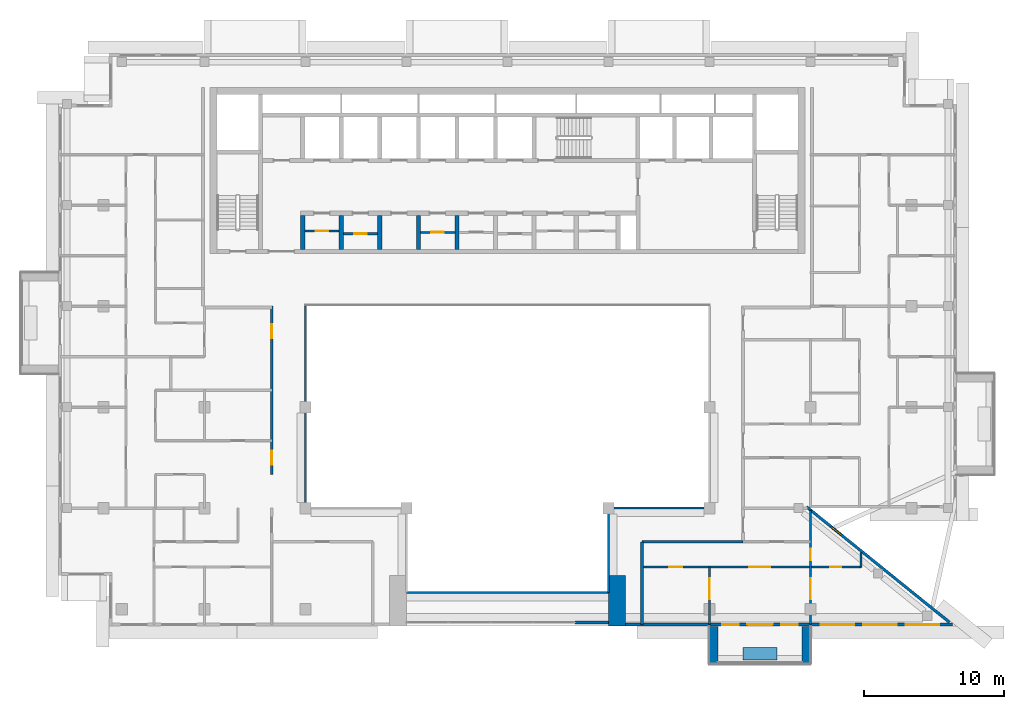
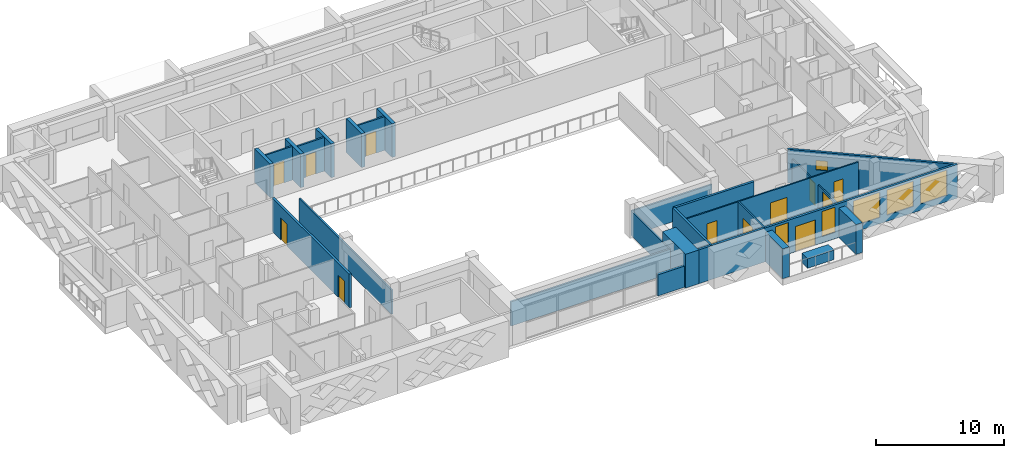
# One storey, part 8 of 19: 26 walls, 12 doors, 6 windows, 18 openings.
"""IFC4 building model written with IfcOpenShell, lengths in metres."""

from ifc_helpers import new_model, si_unit, direction, frame, frame_2d, origin, place, context, subcontext, project, spatial, rectangle, extrude, material, layer, layer_set, type_object, element, fill, save


model = new_model("IFC4")

# Units and contexts
model_context = context("Model", 3, precision=1e-05, world=origin(), true_north=direction((0.0, 1.0)))
body_context = subcontext(model_context, "Body", "Model", "MODEL_VIEW")
ifc_project = project(units=[si_unit("LENGTHUNIT", "METRE"), si_unit("AREAUNIT", "SQUARE_METRE"), si_unit("VOLUMEUNIT", "CUBIC_METRE"), si_unit("PLANEANGLEUNIT", "RADIAN"), si_unit("MASSUNIT", "GRAM", prefix="KILO")], contexts=[model_context])

# Site, building, storey
site_placement = place(None, origin())
site = spatial("IfcSite", under=ifc_project, at=site_placement, CompositionType="ELEMENT")
building_placement = place(site_placement, origin())
building = spatial("IfcBuilding", under=site, at=building_placement, Name="Saffron Iwan Residences", CompositionType="ELEMENT")
storey_placement = place(building_placement, frame((0.0, 0.0, 232.5)))
storey = spatial("IfcBuildingStorey", under=building, at=storey_placement, Name="L62", CompositionType="ELEMENT", Elevation=232.5)

# Walls
ifc_material_1 = material(Name="Fire-rated glazing", Category="glass")
ifc_layer_1 = layer(ifc_material_1, 0.14990234375)
ifc_layer_set_1 = layer_set([ifc_layer_1], Name="Fire-rated glazing")
wall_type_1 = type_object("IfcWallType", Name="Atrium glazed screen 150", PredefinedType="SOLIDWALL", material=ifc_layer_set_1)
wall_1_placement = place(storey_placement, frame((43.199951171875, 42.0, 0.0), z_axis=(0.0, 0.0, 1.0), x_axis=(1.0, 0.0, 0.0)))
element("IfcWall", 1, at=wall_1_placement, inside=storey, type_object=wall_type_1, Name="W-L62-SCREEN-h42-43.2", PredefinedType="SOLIDWALL", context=body_context, shape_type="SweptSolid", body=[
    extrude(rectangle(XDim=14.400146484375, YDim=0.14990234375, at=frame_2d((7.2001953125, 0.0))), origin(), (0.0, 0.0, 1.0), 2.320068359375),
])
wall_2_placement = place(storey_placement, frame((57.60009765625, 48.0, 0.0), z_axis=(0.0, 0.0, 1.0), x_axis=(1.0, 0.0, 0.0)))
element("IfcWall", 2, at=wall_2_placement, inside=storey, type_object=wall_type_1, Name="W-L62-SCREEN-h48-57.6", PredefinedType="SOLIDWALL", context=body_context, shape_type="SweptSolid", body=[
    extrude(rectangle(XDim=7.199951171875, YDim=0.14990234375, at=frame_2d((3.60009765625, 0.0))), origin(), (0.0, 0.0, 1.0), 2.320068359375),
])
wall_3_placement = place(storey_placement, frame((36.0, 48.0, 0.0), z_axis=(0.0, 0.0, 1.0), x_axis=(0.0, 1.0, 0.0)))
element("IfcWall", 3, at=wall_3_placement, inside=storey, type_object=wall_type_1, Name="W-L62-SCREEN-v36-48", PredefinedType="SOLIDWALL", context=body_context, shape_type="SweptSolid", body=[
    extrude(rectangle(XDim=14.39990234375, YDim=0.14990234375, at=frame_2d((7.199951171875, 0.0))), origin(), (0.0, 0.0, 1.0), 2.320068359375),
])
wall_4_placement = place(storey_placement, frame((57.60009765625, 42.0, 0.0), z_axis=(0.0, 0.0, 1.0), x_axis=(0.0, 1.0, 0.0)))
element("IfcWall", 4, at=wall_4_placement, inside=storey, type_object=wall_type_1, Name="W-L62-SCREEN-v57.6-42", PredefinedType="SOLIDWALL", context=body_context, shape_type="SweptSolid", body=[
    extrude(rectangle(XDim=6.0, YDim=0.14990234375, at=frame_2d((3.0, 0.0))), origin(), (0.0, 0.0, 1.0), 2.320068359375),
])
ifc_material_2 = material(Name="Concrete C50/60 white painted", Category="concrete")
ifc_layer_2 = layer(ifc_material_2, 0.60009765625)
ifc_layer_set_2 = layer_set([ifc_layer_2], Name="Concrete C50/60 white painted")
wall_type_2 = type_object("IfcWallType", Name="BALCONY FIN 600", PredefinedType="SOLIDWALL", material=ifc_layer_set_2)
for number, where, z_axis, x_axis, name in (
    (5, (65.10009765625, 39.550048828125, 0.0), (0.0, 0.0, 1.0), (0.0, -1.0, 0.0), "Balcony fin L62 11-0a"),
    (6, (71.699951171875, 39.550048828125, 0.0), (0.0, 0.0, 1.0), (0.0, -1.0, 0.0), "Balcony fin L62 11-0b"),
):
    element("IfcWall", number, at=place(storey_placement, frame(where, z_axis=z_axis, x_axis=x_axis)), inside=storey, type_object=wall_type_2, Name=name, PredefinedType="SOLIDWALL", context=body_context, shape_type="SweptSolid", body=[
        extrude(rectangle(XDim=2.650146484375, YDim=0.60009765625, at=frame_2d((1.3251953125, 0.0))), origin(), (0.0, 0.0, 1.0), 2.85009765625),
    ])
ifc_material_3 = material(Name="Concrete C35/45 white painted", Category="concrete")
ifc_layer_3 = layer(ifc_material_3, 0.14990234375)
ifc_layer_set_3 = layer_set([ifc_layer_3], Name="Concrete C35/45 white painted")
wall_type_3 = type_object("IfcWallType", Name="BALCONY PLANTER", PredefinedType="SOLIDWALL", material=ifc_layer_set_3)
wall_5_placement = place(storey_placement, frame((67.199951171875, 37.625, 0.0), z_axis=(0.0, 0.0, 1.0), x_axis=(1.0, 0.0, 0.0)))
element("IfcWall", 7, at=wall_5_placement, inside=storey, type_object=wall_type_3, Name="PLANTER L62 11-0", PredefinedType="SOLIDWALL", context=body_context, shape_type="SweptSolid", body=[
    extrude(rectangle(XDim=2.400146484375, YDim=0.89990234375, at=frame_2d((1.2001953125, 0.0))), origin(), (0.0, 0.0, 1.0), 0.89990234375),
])

# Wall, opening, door
ifc_material_4 = material(Name="Fire-rated plasterboard partition")
ifc_layer_4 = layer(ifc_material_4, 0.14990234375)
ifc_layer_set_4 = layer_set([ifc_layer_4], Name="Fire-rated plasterboard partition")
wall_type_4 = type_object("IfcWallType", Name="Core partition 150", PredefinedType="PARTITIONING", material=ifc_layer_set_4)
wall_6_placement = place(storey_placement, frame((35.949951171875, 67.759521484375, 0.0), z_axis=(0.0, 0.0, 1.0), x_axis=(1.0, 0.0, 0.0)))
wall_6 = element("IfcWall", 8, at=wall_6_placement, inside=storey, type_object=wall_type_4, Name="Core partition P01", PredefinedType="PARTITIONING", context=body_context, shape_type="SweptSolid", body=[
    extrude(rectangle(XDim=2.449951171875, YDim=0.14990234375, at=frame_2d((1.22509765625, 0.0))), origin(), (0.0, 0.0, 1.0), 3.219970703125),
])
opening_1_placement = place(wall_6_placement, frame((0.77490234375, 0.0, 0.0)))
opening_1 = element("IfcOpeningElement", 9, at=opening_1_placement, cuts=wall_6, Name="Opening SB", PredefinedType="OPENING", context=body_context, shape_type="SweptSolid", body=[
    extrude(rectangle(XDim=0.89990234375, YDim=2.10009765625, at=frame_2d((0.449951171875, 1.050048828125))), frame((0.0, 0.0849609375, 0.0), z_axis=(0.0, -1.0, 0.0), x_axis=(1.0, 0.0, 0.0)), (0.0, 0.0, 1.0), 0.169921875),
])
ifc_material_5 = material(Name="Steel fire door", Category="steel")
door_type_1 = type_object("IfcDoorType", Name="Store door 900", OperationType="NOTDEFINED", PredefinedType="DOOR", material=ifc_material_5)
door_1_placement = place(opening_1_placement, origin())
door_1 = element("IfcDoor", 10, at=door_1_placement, inside=storey, type_object=door_type_1, Name="Door Stationery store", OperationType="SINGLE_SWING_LEFT", OverallHeight=2.10009765625, OverallWidth=0.89990234375, PredefinedType="DOOR", context=body_context, shape_type="SweptSolid", body=[
    extrude(rectangle(XDim=0.89990234375, YDim=2.10009765625, at=frame_2d((0.449951171875, 1.050048828125))), frame((0.0, 0.02490234375, 0.0), z_axis=(0.0, -1.0, 0.0), x_axis=(1.0, 0.0, 0.0)), (0.0, 0.0, 1.0), 0.050048828125),
])
fill(opening_1, door_1)

wall_7_placement = place(storey_placement, frame((38.699951171875, 67.5654296875, 0.0), z_axis=(0.0, 0.0, 1.0), x_axis=(1.0, 0.0, 0.0)))
wall_7 = element("IfcWall", 11, at=wall_7_placement, inside=storey, type_object=wall_type_4, Name="Core partition P02", PredefinedType="PARTITIONING", context=body_context, shape_type="SweptSolid", body=[
    extrude(rectangle(XDim=2.449951171875, YDim=0.14990234375, at=frame_2d((1.22509765625, 0.0))), origin(), (0.0, 0.0, 1.0), 3.219970703125),
])
opening_2_placement = place(wall_7_placement, frame((0.77490234375, 0.0, 0.0)))
opening_2 = element("IfcOpeningElement", 12, at=opening_2_placement, cuts=wall_7, Name="Opening SB", PredefinedType="OPENING", context=body_context, shape_type="SweptSolid", body=[
    extrude(rectangle(XDim=0.89990234375, YDim=2.10009765625, at=frame_2d((0.449951171875, 1.050048828125))), frame((0.0, 0.0849609375, 0.0), z_axis=(0.0, -1.0, 0.0), x_axis=(1.0, 0.0, 0.0)), (0.0, 0.0, 1.0), 0.169921875),
])
door_2_placement = place(opening_2_placement, origin())
door_2 = element("IfcDoor", 13, at=door_2_placement, inside=storey, type_object=door_type_1, Name="Door Tool store", OperationType="SINGLE_SWING_LEFT", OverallHeight=2.10009765625, OverallWidth=0.89990234375, PredefinedType="DOOR", context=body_context, shape_type="SweptSolid", body=[
    extrude(rectangle(XDim=0.89990234375, YDim=2.10009765625, at=frame_2d((0.449951171875, 1.050048828125))), frame((0.0, 0.02490234375, 0.0), z_axis=(0.0, -1.0, 0.0), x_axis=(1.0, 0.0, 0.0)), (0.0, 0.0, 1.0), 0.050048828125),
])
fill(opening_2, door_2)

wall_8_placement = place(storey_placement, frame((44.199951171875, 67.66259765625, 0.0), z_axis=(0.0, 0.0, 1.0), x_axis=(1.0, 0.0, 0.0)))
wall_8 = element("IfcWall", 14, at=wall_8_placement, inside=storey, type_object=wall_type_4, Name="Core partition P03", PredefinedType="PARTITIONING", context=body_context, shape_type="SweptSolid", body=[
    extrude(rectangle(XDim=2.449951171875, YDim=0.14990234375, at=frame_2d((1.22509765625, 0.0))), origin(), (0.0, 0.0, 1.0), 3.219970703125),
])
opening_3_placement = place(wall_8_placement, frame((0.77490234375, 0.0, 0.0)))
opening_3 = element("IfcOpeningElement", 15, at=opening_3_placement, cuts=wall_8, Name="Opening SB", PredefinedType="OPENING", context=body_context, shape_type="SweptSolid", body=[
    extrude(rectangle(XDim=0.89990234375, YDim=2.10009765625, at=frame_2d((0.449951171875, 1.050048828125))), frame((0.0, 0.0849609375, 0.0), z_axis=(0.0, -1.0, 0.0), x_axis=(1.0, 0.0, 0.0)), (0.0, 0.0, 1.0), 0.169921875),
])
door_3_placement = place(opening_3_placement, origin())
door_3 = element("IfcDoor", 16, at=door_3_placement, inside=storey, type_object=door_type_1, Name="Door Equipment store", OperationType="SINGLE_SWING_LEFT", OverallHeight=2.10009765625, OverallWidth=0.89990234375, PredefinedType="DOOR", context=body_context, shape_type="SweptSolid", body=[
    extrude(rectangle(XDim=0.89990234375, YDim=2.10009765625, at=frame_2d((0.449951171875, 1.050048828125))), frame((0.0, 0.02490234375, 0.0), z_axis=(0.0, -1.0, 0.0), x_axis=(1.0, 0.0, 0.0)), (0.0, 0.0, 1.0), 0.050048828125),
])
fill(opening_3, door_3)

# Wall, opening, window
ifc_material_6 = material(Name="Concrete C40/50", Category="concrete")
ifc_layer_5 = layer(ifc_material_6, 0.199951171875)
ifc_layer_set_5 = layer_set([ifc_layer_5], Name="Concrete C40/50")
wall_type_5 = type_object("IfcWallType", Name="EXTERNAL WALL 200", PredefinedType="SOLIDWALL", material=ifc_layer_set_5)
wall_9_placement = place(storey_placement, frame((81.906982421875, 39.86962890625, 0.0), z_axis=(0.0, 0.0, 1.0), x_axis=(-0.777936274417, 0.62834318087, 0.0)))
wall_9 = element("IfcWall", 17, at=wall_9_placement, inside=storey, type_object=wall_type_5, Name="External wall L62 F0.0", PredefinedType="SOLIDWALL", context=body_context, shape_type="SweptSolid", body=[
    extrude(rectangle(XDim=13.0986328125, YDim=0.199951171875, at=frame_2d((6.54931640625, 0.0))), origin(), (0.0, 0.0, 1.0), 3.219970703125),
])
opening_4_placement = place(wall_9_placement, frame((9.9384765625, 0.0, 1.5)))
opening_4 = element("IfcOpeningElement", 18, at=opening_4_placement, cuts=wall_9, Name="Opening W6", PredefinedType="OPENING", context=body_context, shape_type="SweptSolid", body=[
    extrude(rectangle(XDim=0.89990234375, YDim=0.89990234375, at=frame_2d((0.449951171875, 0.449951171875))), frame((0.0, 0.10986328125, 0.0), z_axis=(0.0, -1.0, 0.0), x_axis=(1.0, 0.0, 0.0)), (0.0, 0.0, 1.0), 0.219970703125),
])
ifc_material_7 = material(Name="Clear glass, laminated double glazed", Category="glass")
window_type_1 = type_object("IfcWindowType", Name="WINDOW 900 x 900 BATH", PartitioningType="SINGLE_PANEL", PredefinedType="WINDOW", material=ifc_material_7)
window_1_placement = place(opening_4_placement, origin())
window_1 = element("IfcWindow", 19, at=window_1_placement, inside=storey, type_object=window_type_1, Name="Window L62 F0.0", OverallHeight=0.89990234375, OverallWidth=0.89990234375, PartitioningType="SINGLE_PANEL", PredefinedType="WINDOW", context=body_context, shape_type="SweptSolid", body=[
    extrude(rectangle(XDim=0.89990234375, YDim=0.89990234375, at=frame_2d((0.449951171875, 0.449951171875))), frame((0.0, 0.030029296875, 0.0), z_axis=(0.0, -1.0, 0.0), x_axis=(1.0, 0.0, 0.0)), (0.0, 0.0, 1.0), 0.06005859375),
])
fill(opening_4, window_1)

# Wall, openings, door, windows
wall_10_placement = place(storey_placement, frame((58.800048828125, 39.699951171875, 0.0), z_axis=(0.0, 0.0, 1.0), x_axis=(1.0, 0.0, 0.0)))
wall_10 = element("IfcWall", 20, at=wall_10_placement, inside=storey, type_object=wall_type_5, Name="External wall L62 F11.1", PredefinedType="SOLIDWALL", context=body_context, shape_type="SweptSolid", body=[
    extrude(rectangle(XDim=23.31689453125, YDim=0.199951171875, at=frame_2d((11.658447265625, 0.0))), origin(), (0.0, 0.0, 1.0), 3.219970703125),
])
opening_5_placement = place(wall_10_placement, frame((8.699951171875, 0.0, 0.0)))
opening_5 = element("IfcOpeningElement", 21, at=opening_5_placement, cuts=wall_10, Name="Opening BD1", PredefinedType="OPENING", context=body_context, shape_type="SweptSolid", body=[
    extrude(rectangle(XDim=1.800048828125, YDim=2.39990234375, at=frame_2d((0.89990234375, 1.199951171875))), frame((0.0, 0.10986328125, 0.0), z_axis=(0.0, -1.0, 0.0), x_axis=(1.0, 0.0, 0.0)), (0.0, 0.0, 1.0), 0.219970703125),
])
opening_6_placement = place(wall_10_placement, frame((6.89990234375, 0.0, 0.60009765625)))
opening_6 = element("IfcOpeningElement", 22, at=opening_6_placement, cuts=wall_10, Name="Opening W3", PredefinedType="OPENING", context=body_context, shape_type="SweptSolid", body=[
    extrude(rectangle(XDim=1.199951171875, YDim=2.39990234375, at=frame_2d((0.60009765625, 1.199951171875))), frame((0.0, 0.10986328125, 0.0), z_axis=(0.0, -1.0, 0.0), x_axis=(1.0, 0.0, 0.0)), (0.0, 0.0, 1.0), 0.219970703125),
])
opening_7_placement = place(wall_10_placement, frame((11.10009765625, 0.0, 0.60009765625)))
opening_7 = element("IfcOpeningElement", 23, at=opening_7_placement, cuts=wall_10, Name="Opening W3", PredefinedType="OPENING", context=body_context, shape_type="SweptSolid", body=[
    extrude(rectangle(XDim=1.199951171875, YDim=2.39990234375, at=frame_2d((0.60009765625, 1.199951171875))), frame((0.0, 0.10986328125, 0.0), z_axis=(0.0, -1.0, 0.0), x_axis=(1.0, 0.0, 0.0)), (0.0, 0.0, 1.0), 0.219970703125),
])
opening_8_placement = place(wall_10_placement, frame((13.92919921875, 0.0, 0.60009765625)))
opening_8 = element("IfcOpeningElement", 24, at=opening_8_placement, cuts=wall_10, Name="Opening W1", PredefinedType="OPENING", context=body_context, shape_type="SweptSolid", body=[
    extrude(rectangle(XDim=2.39990234375, YDim=2.39990234375, at=frame_2d((1.199951171875, 1.199951171875))), frame((0.0, 0.10986328125, 0.0), z_axis=(0.0, -1.0, 0.0), x_axis=(1.0, 0.0, 0.0)), (0.0, 0.0, 1.0), 0.219970703125),
])
opening_9_placement = place(wall_10_placement, frame((16.95849609375, 0.0, 0.60009765625)))
opening_9 = element("IfcOpeningElement", 25, at=opening_9_placement, cuts=wall_10, Name="Opening W1", PredefinedType="OPENING", context=body_context, shape_type="SweptSolid", body=[
    extrude(rectangle(XDim=2.39990234375, YDim=2.39990234375, at=frame_2d((1.199951171875, 1.199951171875))), frame((0.0, 0.10986328125, 0.0), z_axis=(0.0, -1.0, 0.0), x_axis=(1.0, 0.0, 0.0)), (0.0, 0.0, 1.0), 0.219970703125),
])
opening_10_placement = place(wall_10_placement, frame((19.98779296875, 0.0, 0.60009765625)))
opening_10 = element("IfcOpeningElement", 26, at=opening_10_placement, cuts=wall_10, Name="Opening W1", PredefinedType="OPENING", context=body_context, shape_type="SweptSolid", body=[
    extrude(rectangle(XDim=2.39990234375, YDim=2.39990234375, at=frame_2d((1.199951171875, 1.199951171875))), frame((0.0, 0.10986328125, 0.0), z_axis=(0.0, -1.0, 0.0), x_axis=(1.0, 0.0, 0.0)), (0.0, 0.0, 1.0), 0.219970703125),
])
door_type_2 = type_object("IfcDoorType", Name="BALCONY DOOR 1800 x 2400", OperationType="DOUBLE_DOOR_SLIDING", PredefinedType="DOOR", material=ifc_material_7)
door_4_placement = place(opening_5_placement, origin())
door_4 = element("IfcDoor", 27, at=door_4_placement, inside=storey, type_object=door_type_2, Name="Balcony door L62 F11.0", OperationType="DOUBLE_DOOR_SLIDING", OverallHeight=2.39990234375, OverallWidth=1.800048828125, PredefinedType="DOOR", context=body_context, shape_type="SweptSolid", body=[
    extrude(rectangle(XDim=1.800048828125, YDim=2.39990234375, at=frame_2d((0.89990234375, 1.199951171875))), frame((0.0, 0.02490234375, 0.0), z_axis=(0.0, -1.0, 0.0), x_axis=(1.0, 0.0, 0.0)), (0.0, 0.0, 1.0), 0.050048828125),
])
fill(opening_5, door_4)
window_type_2 = type_object("IfcWindowType", Name="WINDOW 1200 x 2400", PartitioningType="SINGLE_PANEL", PredefinedType="WINDOW", material=ifc_material_7)
window_2_placement = place(opening_6_placement, origin())
window_2 = element("IfcWindow", 28, at=window_2_placement, inside=storey, type_object=window_type_2, Name="Window L62 F11.1", OverallHeight=2.39990234375, OverallWidth=1.199951171875, PartitioningType="SINGLE_PANEL", PredefinedType="WINDOW", context=body_context, shape_type="SweptSolid", body=[
    extrude(rectangle(XDim=1.199951171875, YDim=2.39990234375, at=frame_2d((0.60009765625, 1.199951171875))), frame((0.0, 0.030029296875, 0.0), z_axis=(0.0, -1.0, 0.0), x_axis=(1.0, 0.0, 0.0)), (0.0, 0.0, 1.0), 0.06005859375),
])
fill(opening_6, window_2)
window_3_placement = place(opening_7_placement, origin())
window_3 = element("IfcWindow", 29, at=window_3_placement, inside=storey, type_object=window_type_2, Name="Window L62 F11.2", OverallHeight=2.39990234375, OverallWidth=1.199951171875, PartitioningType="SINGLE_PANEL", PredefinedType="WINDOW", context=body_context, shape_type="SweptSolid", body=[
    extrude(rectangle(XDim=1.199951171875, YDim=2.39990234375, at=frame_2d((0.60009765625, 1.199951171875))), frame((0.0, 0.030029296875, 0.0), z_axis=(0.0, -1.0, 0.0), x_axis=(1.0, 0.0, 0.0)), (0.0, 0.0, 1.0), 0.06005859375),
])
fill(opening_7, window_3)
window_type_3 = type_object("IfcWindowType", Name="WINDOW 2400 x 2400", PartitioningType="DOUBLE_PANEL_VERTICAL", PredefinedType="WINDOW", material=ifc_material_7)
window_4_placement = place(opening_8_placement, origin())
window_4 = element("IfcWindow", 30, at=window_4_placement, inside=storey, type_object=window_type_3, Name="Window L62 F11.3", OverallHeight=2.39990234375, OverallWidth=2.39990234375, PartitioningType="DOUBLE_PANEL_VERTICAL", PredefinedType="WINDOW", context=body_context, shape_type="SweptSolid", body=[
    extrude(rectangle(XDim=2.39990234375, YDim=2.39990234375, at=frame_2d((1.199951171875, 1.199951171875))), frame((0.0, 0.030029296875, 0.0), z_axis=(0.0, -1.0, 0.0), x_axis=(1.0, 0.0, 0.0)), (0.0, 0.0, 1.0), 0.06005859375),
])
fill(opening_8, window_4)
window_5_placement = place(opening_9_placement, origin())
window_5 = element("IfcWindow", 31, at=window_5_placement, inside=storey, type_object=window_type_3, Name="Window L62 F11.4", OverallHeight=2.39990234375, OverallWidth=2.39990234375, PartitioningType="DOUBLE_PANEL_VERTICAL", PredefinedType="WINDOW", context=body_context, shape_type="SweptSolid", body=[
    extrude(rectangle(XDim=2.39990234375, YDim=2.39990234375, at=frame_2d((1.199951171875, 1.199951171875))), frame((0.0, 0.030029296875, 0.0), z_axis=(0.0, -1.0, 0.0), x_axis=(1.0, 0.0, 0.0)), (0.0, 0.0, 1.0), 0.06005859375),
])
fill(opening_9, window_5)
window_6_placement = place(opening_10_placement, origin())
window_6 = element("IfcWindow", 32, at=window_6_placement, inside=storey, type_object=window_type_3, Name="Window L62 F11.5", OverallHeight=2.39990234375, OverallWidth=2.39990234375, PartitioningType="DOUBLE_PANEL_VERTICAL", PredefinedType="WINDOW", context=body_context, shape_type="SweptSolid", body=[
    extrude(rectangle(XDim=2.39990234375, YDim=2.39990234375, at=frame_2d((1.199951171875, 1.199951171875))), frame((0.0, 0.030029296875, 0.0), z_axis=(0.0, -1.0, 0.0), x_axis=(1.0, 0.0, 0.0)), (0.0, 0.0, 1.0), 0.06005859375),
])
fill(opening_10, window_6)

# Wall
wall_11_placement = place(storey_placement, frame((55.199951171875, 39.85009765625, 0.0), z_axis=(0.0, 0.0, 1.0), x_axis=(1.0, 0.0, 0.0)))
element("IfcWall", 33, at=wall_11_placement, inside=storey, type_object=wall_type_5, Name="External wall infill CWB-L62-0", PredefinedType="SOLIDWALL", context=body_context, shape_type="SweptSolid", body=[
    extrude(rectangle(XDim=2.400146484375, YDim=0.199951171875, at=frame_2d((1.2001953125, 0.0))), origin(), (0.0, 0.0, 1.0), 2.02001953125),
])

# Wall, openings, doors
ifc_material_8 = material(Name="Gypsum board partition")
ifc_layer_6 = layer(ifc_material_8, 0.1201171875)
ifc_layer_set_6 = layer_set([ifc_layer_6], Name="Gypsum board partition")
wall_type_6 = type_object("IfcWallType", Name="Flat partition 120", PredefinedType="PARTITIONING", material=ifc_layer_set_6)
wall_12_placement = place(storey_placement, frame((60.0, 43.800048828125, 0.0), z_axis=(0.0, 0.0, 1.0), x_axis=(1.0, 0.0, 0.0)))
wall_12 = element("IfcWall", 34, at=wall_12_placement, inside=storey, type_object=wall_type_6, Name="W-L62-PART-h43.8-60", PredefinedType="PARTITIONING", context=body_context, shape_type="SweptSolid", body=[
    extrude(rectangle(XDim=15.60009765625, YDim=0.1201171875, at=frame_2d((7.800048828125, 0.0))), origin(), (0.0, 0.0, 1.0), 3.219970703125),
])
opening_11_placement = place(wall_12_placement, frame((7.64990234375, 0.0, 0.0)))
opening_11 = element("IfcOpeningElement", 35, at=opening_11_placement, cuts=wall_12, Name="Opening FD4", PredefinedType="OPENING", context=body_context, shape_type="SweptSolid", body=[
    extrude(rectangle(XDim=1.5, YDim=2.10009765625, at=frame_2d((0.75, 1.050048828125))), frame((0.0, 0.070068359375, 0.0), z_axis=(0.0, -1.0, 0.0), x_axis=(1.0, 0.0, 0.0)), (0.0, 0.0, 1.0), 0.14013671875),
])
opening_12_placement = place(wall_12_placement, frame((1.949951171875, 0.0, 0.0)))
opening_12 = element("IfcOpeningElement", 36, at=opening_12_placement, cuts=wall_12, Name="Opening FD2", PredefinedType="OPENING", context=body_context, shape_type="SweptSolid", body=[
    extrude(rectangle(XDim=0.89990234375, YDim=2.10009765625, at=frame_2d((0.449951171875, 1.050048828125))), frame((0.0, 0.070068359375, 0.0), z_axis=(0.0, -1.0, 0.0), x_axis=(1.0, 0.0, 0.0)), (0.0, 0.0, 1.0), 0.14013671875),
])
opening_13_placement = place(wall_12_placement, frame((13.39990234375, 0.0, 0.0)))
opening_13 = element("IfcOpeningElement", 37, at=opening_13_placement, cuts=wall_12, Name="Opening FD3", PredefinedType="OPENING", context=body_context, shape_type="SweptSolid", body=[
    extrude(rectangle(XDim=0.800048828125, YDim=2.10009765625, at=frame_2d((0.39990234375, 1.050048828125))), frame((0.0, 0.070068359375, 0.0), z_axis=(0.0, -1.0, 0.0), x_axis=(1.0, 0.0, 0.0)), (0.0, 0.0, 1.0), 0.14013671875),
])
ifc_material_9 = material(Name="Timber door", Category="wood")
door_type_3 = type_object("IfcDoorType", Name="Bathroom door 800", OperationType="NOTDEFINED", PredefinedType="DOOR", material=ifc_material_9)
door_5_placement = place(opening_13_placement, origin())
door_5 = element("IfcDoor", 38, at=door_5_placement, inside=storey, type_object=door_type_3, Name="Door L62-048", OperationType="SINGLE_SWING_LEFT", OverallHeight=2.10009765625, OverallWidth=0.800048828125, PredefinedType="DOOR", context=body_context, shape_type="SweptSolid", body=[
    extrude(rectangle(XDim=0.800048828125, YDim=2.10009765625, at=frame_2d((0.39990234375, 1.050048828125))), frame((0.0, 0.02490234375, 0.0), z_axis=(0.0, -1.0, 0.0), x_axis=(1.0, 0.0, 0.0)), (0.0, 0.0, 1.0), 0.050048828125),
])
fill(opening_13, door_5)
door_type_4 = type_object("IfcDoorType", Name="Double door 1500", OperationType="NOTDEFINED", PredefinedType="DOOR", material=ifc_material_9)
door_6_placement = place(opening_11_placement, origin())
door_6 = element("IfcDoor", 39, at=door_6_placement, inside=storey, type_object=door_type_4, Name="Door L62-044", OperationType="SINGLE_SWING_RIGHT", OverallHeight=2.10009765625, OverallWidth=1.5, PredefinedType="DOOR", context=body_context, shape_type="SweptSolid", body=[
    extrude(rectangle(XDim=1.5, YDim=2.10009765625, at=frame_2d((0.75, 1.050048828125))), frame((0.0, 0.02490234375, 0.0), z_axis=(0.0, -1.0, 0.0), x_axis=(1.0, 0.0, 0.0)), (0.0, 0.0, 1.0), 0.050048828125),
])
fill(opening_11, door_6)
door_type_5 = type_object("IfcDoorType", Name="Flat door 900", OperationType="NOTDEFINED", PredefinedType="DOOR", material=ifc_material_9)
door_7_placement = place(opening_12_placement, origin())
door_7 = element("IfcDoor", 40, at=door_7_placement, inside=storey, type_object=door_type_5, Name="Door L62-045", OperationType="SINGLE_SWING_LEFT", OverallHeight=2.10009765625, OverallWidth=0.89990234375, PredefinedType="DOOR", context=body_context, shape_type="SweptSolid", body=[
    extrude(rectangle(XDim=0.89990234375, YDim=2.10009765625, at=frame_2d((0.449951171875, 1.050048828125))), frame((0.0, 0.02490234375, 0.0), z_axis=(0.0, -1.0, 0.0), x_axis=(1.0, 0.0, 0.0)), (0.0, 0.0, 1.0), 0.050048828125),
])
fill(opening_12, door_7)

# Wall, opening, door
wall_13_placement = place(storey_placement, frame((64.800048828125, 39.72509765625, 0.0), z_axis=(0.0, 0.0, 1.0), x_axis=(0.0, 1.0, 0.0)))
wall_13 = element("IfcWall", 41, at=wall_13_placement, inside=storey, type_object=wall_type_6, Name="W-L62-PART-v64.8-39.725", PredefinedType="PARTITIONING", context=body_context, shape_type="SweptSolid", body=[
    extrude(rectangle(XDim=4.074951171875, YDim=0.1201171875, at=frame_2d((2.03759765625, 0.0))), origin(), (0.0, 0.0, 1.0), 3.219970703125),
])
opening_14_placement = place(wall_13_placement, frame((1.78759765625, 0.0, 0.0)))
opening_14 = element("IfcOpeningElement", 42, at=opening_14_placement, cuts=wall_13, Name="Opening FD4", PredefinedType="OPENING", context=body_context, shape_type="SweptSolid", body=[
    extrude(rectangle(XDim=1.5, YDim=2.10009765625, at=frame_2d((0.75, 1.050048828125))), frame((0.0, 0.070068359375, 0.0), z_axis=(0.0, -1.0, 0.0), x_axis=(1.0, 0.0, 0.0)), (0.0, 0.0, 1.0), 0.14013671875),
])
door_8_placement = place(opening_14_placement, origin())
door_8 = element("IfcDoor", 43, at=door_8_placement, inside=storey, type_object=door_type_4, Name="Door L62-041", OperationType="SINGLE_SWING_LEFT", OverallHeight=2.10009765625, OverallWidth=1.5, PredefinedType="DOOR", context=body_context, shape_type="SweptSolid", body=[
    extrude(rectangle(XDim=1.5, YDim=2.10009765625, at=frame_2d((0.75, 1.050048828125))), frame((0.0, 0.02490234375, 0.0), z_axis=(0.0, -1.0, 0.0), x_axis=(1.0, 0.0, 0.0)), (0.0, 0.0, 1.0), 0.050048828125),
])
fill(opening_14, door_8)

# Wall, openings, doors
wall_14_placement = place(storey_placement, frame((72.0, 39.72509765625, 0.0), z_axis=(0.0, 0.0, 1.0), x_axis=(0.0, 1.0, 0.0)))
wall_14 = element("IfcWall", 44, at=wall_14_placement, inside=storey, type_object=wall_type_6, Name="W-L62-PART-v72-39.725", PredefinedType="PARTITIONING", context=body_context, shape_type="SweptSolid", body=[
    extrude(rectangle(XDim=8.114013671875, YDim=0.1201171875, at=frame_2d((4.05712890625, 0.0))), origin(), (0.0, 0.0, 1.0), 2.320068359375),
])
opening_15_placement = place(wall_14_placement, frame((1.78759765625, 0.0, 0.0)))
opening_15 = element("IfcOpeningElement", 45, at=opening_15_placement, cuts=wall_14, Name="Opening FD4", PredefinedType="OPENING", context=body_context, shape_type="SweptSolid", body=[
    extrude(rectangle(XDim=1.5, YDim=2.10009765625, at=frame_2d((0.75, 1.050048828125))), frame((0.0, 0.070068359375, 0.0), z_axis=(0.0, -1.0, 0.0), x_axis=(1.0, 0.0, 0.0)), (0.0, 0.0, 1.0), 0.14013671875),
])
opening_16_placement = place(wall_14_placement, frame((4.574951171875, 0.0, 0.0)))
opening_16 = element("IfcOpeningElement", 46, at=opening_16_placement, cuts=wall_14, Name="Opening FD3", PredefinedType="OPENING", context=body_context, shape_type="SweptSolid", body=[
    extrude(rectangle(XDim=0.800048828125, YDim=2.10009765625, at=frame_2d((0.39990234375, 1.050048828125))), frame((0.0, 0.070068359375, 0.0), z_axis=(0.0, -1.0, 0.0), x_axis=(1.0, 0.0, 0.0)), (0.0, 0.0, 1.0), 0.14013671875),
])
door_9_placement = place(opening_16_placement, origin())
door_9 = element("IfcDoor", 47, at=door_9_placement, inside=storey, type_object=door_type_3, Name="Door L62-047", OperationType="SINGLE_SWING_RIGHT", OverallHeight=2.10009765625, OverallWidth=0.800048828125, PredefinedType="DOOR", context=body_context, shape_type="SweptSolid", body=[
    extrude(rectangle(XDim=0.800048828125, YDim=2.10009765625, at=frame_2d((0.39990234375, 1.050048828125))), frame((0.0, 0.02490234375, 0.0), z_axis=(0.0, -1.0, 0.0), x_axis=(1.0, 0.0, 0.0)), (0.0, 0.0, 1.0), 0.050048828125),
])
fill(opening_16, door_9)
door_10_placement = place(opening_15_placement, origin())
door_10 = element("IfcDoor", 48, at=door_10_placement, inside=storey, type_object=door_type_4, Name="Door L62-046", OperationType="SINGLE_SWING_RIGHT", OverallHeight=2.10009765625, OverallWidth=1.5, PredefinedType="DOOR", context=body_context, shape_type="SweptSolid", body=[
    extrude(rectangle(XDim=1.5, YDim=2.10009765625, at=frame_2d((0.75, 1.050048828125))), frame((0.0, 0.02490234375, 0.0), z_axis=(0.0, -1.0, 0.0), x_axis=(1.0, 0.0, 0.0)), (0.0, 0.0, 1.0), 0.050048828125),
])
fill(opening_15, door_10)

# Walls
wall_15_placement = place(storey_placement, frame((75.60009765625, 43.800048828125, 0.0), z_axis=(0.0, 0.0, 1.0), x_axis=(0.0, 1.0, 0.0)))
element("IfcWall", 49, at=wall_15_placement, inside=storey, type_object=wall_type_6, Name="W-L62-PART-v75.6-43.8", PredefinedType="PARTITIONING", context=body_context, shape_type="SweptSolid", body=[
    extrude(rectangle(XDim=1.03515625, YDim=0.1201171875, at=frame_2d((0.517578125, 0.0))), origin(), (0.0, 0.0, 1.0), 2.320068359375),
])
ifc_material_10 = material(Name="Fire-rated gypsum board wall")
ifc_layer_7 = layer(ifc_material_10, 0.199951171875)
ifc_layer_set_7 = layer_set([ifc_layer_7], Name="Fire-rated gypsum board wall")
wall_type_7 = type_object("IfcWallType", Name="Gallery wall 200", PredefinedType="SOLIDWALL", material=ifc_layer_set_7)
wall_16_placement = place(storey_placement, frame((60.0, 45.60009765625, 0.0), z_axis=(0.0, 0.0, 1.0), x_axis=(1.0, 0.0, 0.0)))
element("IfcWall", 50, at=wall_16_placement, inside=storey, type_object=wall_type_7, Name="W-L62-CORR-h45.6-60", PredefinedType="SOLIDWALL", context=body_context, shape_type="SweptSolid", body=[
    extrude(rectangle(XDim=7.199951171875, YDim=0.199951171875, at=frame_2d((3.60009765625, 0.0))), origin(), (0.0, 0.0, 1.0), 3.219970703125),
])

# Wall, openings, doors
wall_17_placement = place(storey_placement, frame((33.60009765625, 50.39990234375, 0.0), z_axis=(0.0, 0.0, 1.0), x_axis=(0.0, 1.0, 0.0)))
wall_17 = element("IfcWall", 51, at=wall_17_placement, inside=storey, type_object=wall_type_7, Name="W-L62-CORR-v33.6-50.4", PredefinedType="SOLIDWALL", context=body_context, shape_type="SweptSolid", body=[
    extrude(rectangle(XDim=12.0, YDim=0.199951171875, at=frame_2d((6.0, 0.0))), origin(), (0.0, 0.0, 1.0), 3.219970703125),
])
opening_17_placement = place(wall_17_placement, frame((0.699951171875, 0.0, 0.0)))
opening_17 = element("IfcOpeningElement", 52, at=opening_17_placement, cuts=wall_17, Name="Opening FD1", PredefinedType="OPENING", context=body_context, shape_type="SweptSolid", body=[
    extrude(rectangle(XDim=1.0, YDim=2.10009765625, at=frame_2d((0.5, 1.050048828125))), frame((0.0, 0.10986328125, 0.0), z_axis=(0.0, -1.0, 0.0), x_axis=(1.0, 0.0, 0.0)), (0.0, 0.0, 1.0), 0.219970703125),
])
opening_18_placement = place(wall_17_placement, frame((9.699951171875, 0.0, 0.0)))
opening_18 = element("IfcOpeningElement", 53, at=opening_18_placement, cuts=wall_17, Name="Opening FD5", PredefinedType="OPENING", context=body_context, shape_type="SweptSolid", body=[
    extrude(rectangle(XDim=1.0, YDim=2.10009765625, at=frame_2d((0.5, 1.050048828125))), frame((0.0, 0.10986328125, 0.0), z_axis=(0.0, -1.0, 0.0), x_axis=(1.0, 0.0, 0.0)), (0.0, 0.0, 1.0), 0.219970703125),
])
ifc_material_11 = material(Name="Fire-rated timber door", Category="wood")
door_type_6 = type_object("IfcDoorType", Name="FD30S flat entrance door 1000", OperationType="NOTDEFINED", PredefinedType="DOOR", material=ifc_material_11)
door_11_placement = place(opening_17_placement, origin())
door_11 = element("IfcDoor", 54, at=door_11_placement, inside=storey, type_object=door_type_6, Name="Door L62-008", OperationType="SINGLE_SWING_RIGHT", OverallHeight=2.10009765625, OverallWidth=1.0, PredefinedType="DOOR", context=body_context, shape_type="SweptSolid", body=[
    extrude(rectangle(XDim=1.0, YDim=2.10009765625, at=frame_2d((0.5, 1.050048828125))), frame((0.0, 0.02490234375, 0.0), z_axis=(0.0, -1.0, 0.0), x_axis=(1.0, 0.0, 0.0)), (0.0, 0.0, 1.0), 0.050048828125),
])
fill(opening_17, door_11)
door_type_7 = type_object("IfcDoorType", Name="Lobby door 1000", OperationType="NOTDEFINED", PredefinedType="DOOR", material=ifc_material_11)
door_12_placement = place(opening_18_placement, origin())
door_12 = element("IfcDoor", 55, at=door_12_placement, inside=storey, type_object=door_type_7, Name="Door L62-024", OperationType="SINGLE_SWING_LEFT", OverallHeight=2.10009765625, OverallWidth=1.0, PredefinedType="DOOR", context=body_context, shape_type="SweptSolid", body=[
    extrude(rectangle(XDim=1.0, YDim=2.10009765625, at=frame_2d((0.5, 1.050048828125))), frame((0.0, 0.02490234375, 0.0), z_axis=(0.0, -1.0, 0.0), x_axis=(1.0, 0.0, 0.0)), (0.0, 0.0, 1.0), 0.050048828125),
])
fill(opening_18, door_12)

# Walls
wall_18_placement = place(storey_placement, frame((60.0, 39.72509765625, 0.0), z_axis=(0.0, 0.0, 1.0), x_axis=(0.0, 1.0, 0.0)))
element("IfcWall", 56, at=wall_18_placement, inside=storey, type_object=wall_type_7, Name="W-L62-CORR-v60-39.725", PredefinedType="SOLIDWALL", context=body_context, shape_type="SweptSolid", body=[
    extrude(rectangle(XDim=5.875, YDim=0.199951171875, at=frame_2d((2.9375, 0.0))), origin(), (0.0, 0.0, 1.0), 3.219970703125),
])
ifc_layer_8 = layer(ifc_material_6, 0.300048828125)
ifc_layer_set_8 = layer_set([ifc_layer_8], Name="Concrete C40/50")
wall_type_8 = type_object("IfcWallType", Name="WALL CORE 300 C40/50 3220 HIGH", PredefinedType="SHEAR", material=ifc_layer_set_8)
for number, where, z_axis, x_axis, name in (
    (57, (35.800048828125, 66.449951171875, 0.0), (0.0, 0.0, 1.0), (0.0, 1.0, 0.0), "Core wall"),
    (58, (38.550048828125, 66.449951171875, 0.0), (0.0, 0.0, 1.0), (0.0, 1.0, 0.0), "Core wall"),
    (59, (41.300048828125, 66.449951171875, 0.0), (0.0, 0.0, 1.0), (0.0, 1.0, 0.0), "Core wall"),
    (60, (44.050048828125, 66.449951171875, 0.0), (0.0, 0.0, 1.0), (0.0, 1.0, 0.0), "Core wall"),
    (61, (46.800048828125, 66.449951171875, 0.0), (0.0, 0.0, 1.0), (0.0, 1.0, 0.0), "Core wall"),
):
    element("IfcWall", number, at=place(storey_placement, frame(where, z_axis=z_axis, x_axis=x_axis)), inside=storey, type_object=wall_type_8, Name=name, PredefinedType="SHEAR", context=body_context, shape_type="SweptSolid", body=[
        extrude(rectangle(XDim=2.425048828125, YDim=0.300048828125, at=frame_2d((1.21240234375, 0.0))), origin(), (0.0, 0.0, 1.0), 3.219970703125),
    ])
ifc_layer_9 = layer(ifc_material_6, 1.199951171875)
ifc_layer_set_9 = layer_set([ifc_layer_9], Name="Concrete C40/50")
wall_type_9 = type_object("IfcWallType", Name="WALL IWAN PIER 1200 C40/50 3220 HIGH", PredefinedType="SHEAR", material=ifc_layer_set_9)
wall_19_placement = place(storey_placement, frame((58.199951171875, 39.60009765625, 0.0), z_axis=(0.0, 0.0, 1.0), x_axis=(0.0, 1.0, 0.0)))
element("IfcWall", 62, at=wall_19_placement, inside=storey, type_object=wall_type_9, Name="IWAN PIER", PredefinedType="SHEAR", context=body_context, shape_type="SweptSolid", body=[
    extrude(rectangle(XDim=3.599853515625, YDim=1.199951171875, at=frame_2d((1.7998046875, 0.0))), origin(), (0.0, 0.0, 1.0), 3.219970703125),
])

save(model, "model.ifc")
